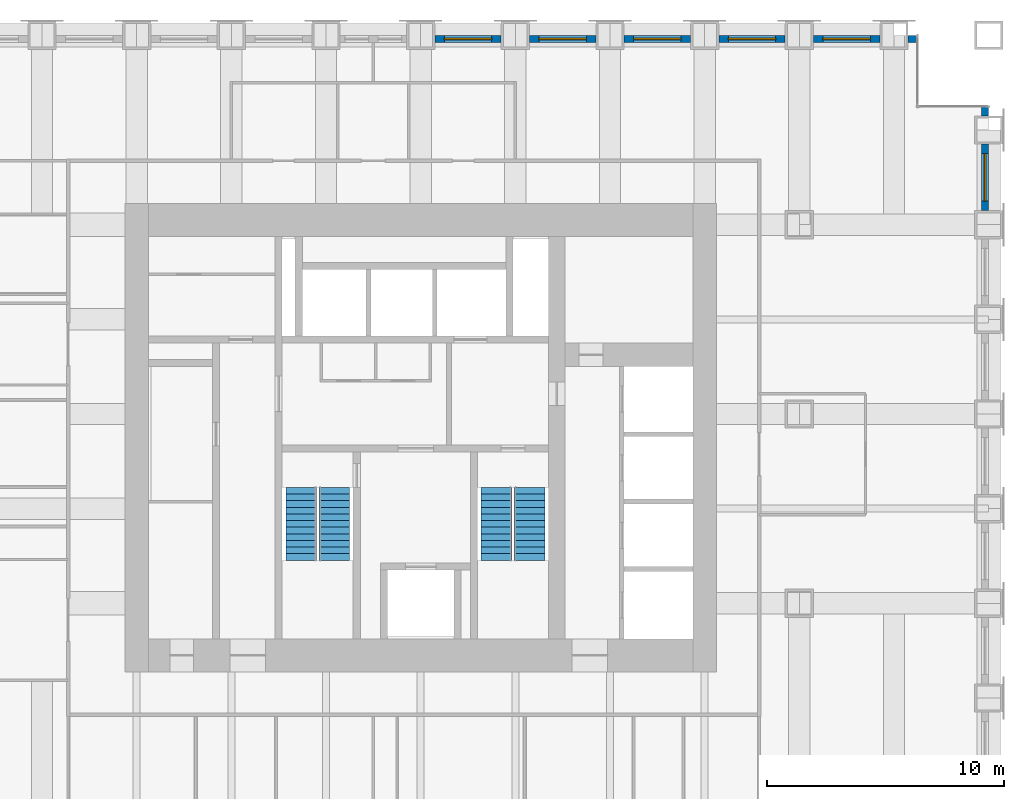
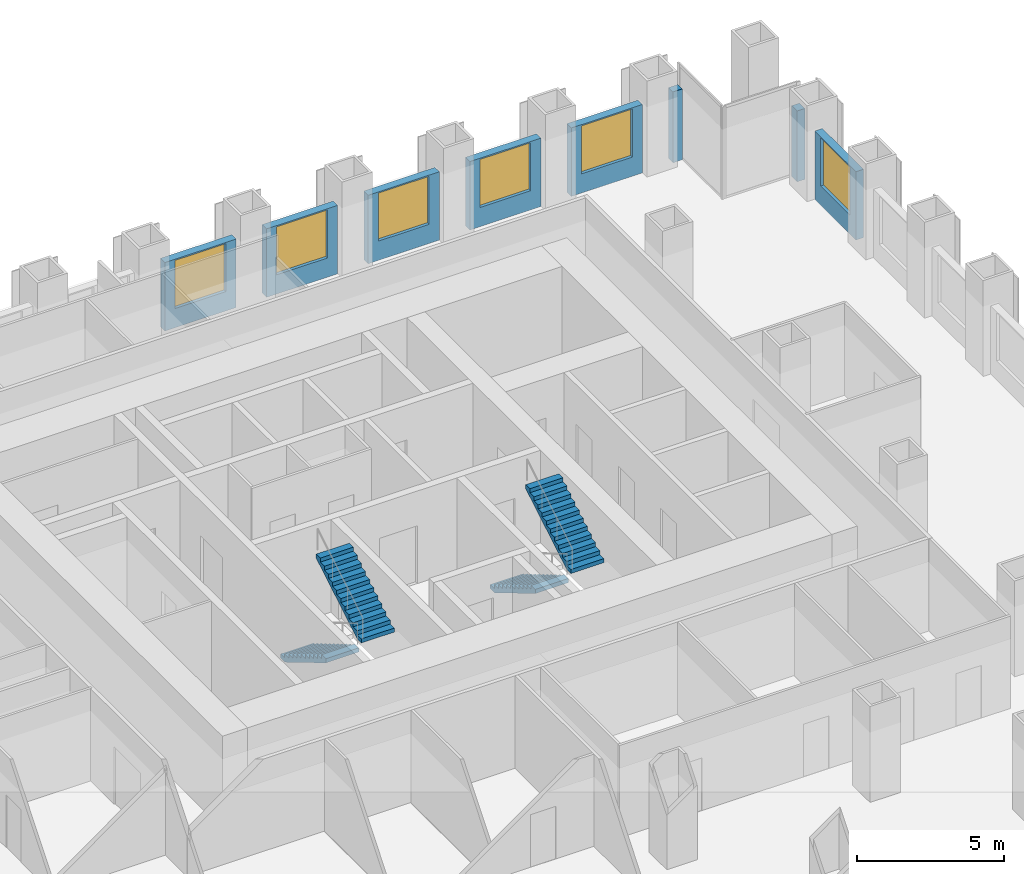
# One storey, part 13 of 15: 8 walls, 6 windows, 4 stair flights, 6 openings, 2 elements without a shape of their own.
"""IFC4 building model written with IfcOpenShell, lengths in metres."""

from ifc_helpers import new_model, si_unit, direction, frame, frame_2d, origin, place, context, subcontext, project, spatial, polyline, rectangle, outline, extrude, material, layer, layer_set, type_object, element, fill, aggregate, save


model = new_model("IFC4")

# Units and contexts
model_context = context("Model", 3, precision=1e-05, world=origin(), true_north=direction((0.0, 1.0)))
body_context = subcontext(model_context, "Body", "Model", "MODEL_VIEW")
ifc_project = project(units=[si_unit("LENGTHUNIT", "METRE"), si_unit("AREAUNIT", "SQUARE_METRE"), si_unit("VOLUMEUNIT", "CUBIC_METRE"), si_unit("PLANEANGLEUNIT", "RADIAN"), si_unit("MASSUNIT", "GRAM", prefix="KILO")], contexts=[model_context])

# Site, building, storey
site_placement = place(None, origin())
site = spatial("IfcSite", under=ifc_project, at=site_placement, CompositionType="ELEMENT")
building_placement = place(site_placement, origin())
building = spatial("IfcBuilding", under=site, at=building_placement, Name="Rimbunsela Tower", CompositionType="ELEMENT")
storey_placement = place(building_placement, frame((0.0, 0.0, 27.0)))
storey = spatial("IfcBuildingStorey", under=building, at=storey_placement, Name="L06", CompositionType="ELEMENT", Elevation=27.0)

# Wall, opening, window
ifc_material_1 = material(Name="Precast concrete fc' 35 MPa", Category="concrete")
ifc_layer = layer(ifc_material_1, 0.300048828125)
ifc_layer_set = layer_set([ifc_layer], Name="Precast concrete fc' 35 MPa")
wall_type = type_object("IfcWallType", Name="Precast facade panel 300", PredefinedType="ELEMENTEDWALL", material=ifc_layer_set)
wall_1_placement = place(storey_placement, frame((53.85009765625, 36.60009765625, 0.0), z_axis=(0.0, 0.0, 1.0), x_axis=(0.0, 1.0, 0.0)))
wall_1 = element("IfcWall", 1, at=wall_1_placement, inside=storey, type_object=wall_type, Name="Facade panel E L06", PredefinedType="ELEMENTEDWALL", context=body_context, shape_type="SweptSolid", body=[
    extrude(rectangle(XDim=2.7998046875, YDim=0.300048828125, at=frame_2d((1.39990234375, 0.0))), origin(), (0.0, 0.0, 1.0), 2.85009765625),
])
opening_1_placement = place(wall_1_placement, frame((0.39990234375, 0.0, 0.800048828125)))
opening_1 = element("IfcOpeningElement", 2, at=opening_1_placement, cuts=wall_1, Name="Opening W1", PredefinedType="OPENING", context=body_context, shape_type="SweptSolid", body=[
    extrude(rectangle(XDim=2.0, YDim=2.0, at=frame_2d((1.0, 1.0))), frame((0.0, 0.159912109375, 0.0), z_axis=(0.0, -1.0, 0.0), x_axis=(1.0, 0.0, 0.0)), (0.0, 0.0, 1.0), 0.320068359375),
])
ifc_material_2 = material(Name="Clear glass in aluminium frame", Category="aluminium")
window_type = type_object("IfcWindowType", Name="Window W1 2000x2000", PartitioningType="DOUBLE_PANEL_VERTICAL", PredefinedType="WINDOW", material=ifc_material_2)
window_1_placement = place(opening_1_placement, origin())
window_1 = element("IfcWindow", 3, at=window_1_placement, inside=storey, type_object=window_type, Name="Window L06", OverallHeight=2.0, OverallWidth=2.0, PartitioningType="SINGLE_PANEL", PredefinedType="WINDOW", context=body_context, shape_type="SweptSolid", body=[
    extrude(rectangle(XDim=2.0, YDim=2.0, at=frame_2d((1.0, 1.0))), frame((0.0, 0.030029296875, 0.0), z_axis=(0.0, -1.0, 0.0), x_axis=(1.0, 0.0, 0.0)), (0.0, 0.0, 1.0), 0.06005859375),
])
fill(opening_1, window_1)

# Wall
wall_2_placement = place(storey_placement, frame((53.85009765625, 40.60009765625, 0.0), z_axis=(0.0, 0.0, 1.0), x_axis=(0.0, 1.0, 0.0)))
element("IfcWall", 4, at=wall_2_placement, inside=storey, type_object=wall_type, Name="Facade panel E L06", PredefinedType="ELEMENTEDWALL", context=body_context, shape_type="SweptSolid", body=[
    extrude(rectangle(XDim=0.369873046875, YDim=0.300048828125, at=frame_2d((0.18505859375, 0.0))), origin(), (0.0, 0.0, 1.0), 2.949951171875),
])

# Wall, opening, window
wall_3_placement = place(storey_placement, frame((33.39990234375, 43.85009765625, 0.0), z_axis=(0.0, 0.0, 1.0), x_axis=(-1.0, 0.0, 0.0)))
wall_3 = element("IfcWall", 5, at=wall_3_placement, inside=storey, type_object=wall_type, Name="Facade panel N L06", PredefinedType="ELEMENTEDWALL", context=body_context, shape_type="SweptSolid", body=[
    extrude(rectangle(XDim=2.7998046875, YDim=0.300048828125, at=frame_2d((1.39990234375, 0.0))), origin(), (0.0, 0.0, 1.0), 2.85009765625),
])
opening_2_placement = place(wall_3_placement, frame((0.39990234375, 0.0, 0.800048828125)))
opening_2 = element("IfcOpeningElement", 6, at=opening_2_placement, cuts=wall_3, Name="Opening W1", PredefinedType="OPENING", context=body_context, shape_type="SweptSolid", body=[
    extrude(rectangle(XDim=2.0, YDim=2.0, at=frame_2d((1.0, 1.0))), frame((0.0, 0.159912109375, 0.0), z_axis=(0.0, -1.0, 0.0), x_axis=(1.0, 0.0, 0.0)), (0.0, 0.0, 1.0), 0.320068359375),
])
window_2_placement = place(opening_2_placement, origin())
window_2 = element("IfcWindow", 7, at=window_2_placement, inside=storey, type_object=window_type, Name="Window L06", OverallHeight=2.0, OverallWidth=2.0, PartitioningType="SINGLE_PANEL", PredefinedType="WINDOW", context=body_context, shape_type="SweptSolid", body=[
    extrude(rectangle(XDim=2.0, YDim=2.0, at=frame_2d((1.0, 1.0))), frame((0.0, 0.030029296875, 0.0), z_axis=(0.0, -1.0, 0.0), x_axis=(1.0, 0.0, 0.0)), (0.0, 0.0, 1.0), 0.06005859375),
])
fill(opening_2, window_2)

wall_4_placement = place(storey_placement, frame((37.39990234375, 43.85009765625, 0.0), z_axis=(0.0, 0.0, 1.0), x_axis=(-1.0, 0.0, 0.0)))
wall_4 = element("IfcWall", 8, at=wall_4_placement, inside=storey, type_object=wall_type, Name="Facade panel N L06", PredefinedType="ELEMENTEDWALL", context=body_context, shape_type="SweptSolid", body=[
    extrude(rectangle(XDim=2.7998046875, YDim=0.300048828125, at=frame_2d((1.39990234375, 0.0))), origin(), (0.0, 0.0, 1.0), 2.85009765625),
])
opening_3_placement = place(wall_4_placement, frame((0.39990234375, 0.0, 0.800048828125)))
opening_3 = element("IfcOpeningElement", 9, at=opening_3_placement, cuts=wall_4, Name="Opening W1", PredefinedType="OPENING", context=body_context, shape_type="SweptSolid", body=[
    extrude(rectangle(XDim=2.0, YDim=2.0, at=frame_2d((1.0, 1.0))), frame((0.0, 0.159912109375, 0.0), z_axis=(0.0, -1.0, 0.0), x_axis=(1.0, 0.0, 0.0)), (0.0, 0.0, 1.0), 0.320068359375),
])
window_3_placement = place(opening_3_placement, origin())
window_3 = element("IfcWindow", 10, at=window_3_placement, inside=storey, type_object=window_type, Name="Window L06", OverallHeight=2.0, OverallWidth=2.0, PartitioningType="SINGLE_PANEL", PredefinedType="WINDOW", context=body_context, shape_type="SweptSolid", body=[
    extrude(rectangle(XDim=2.0, YDim=2.0, at=frame_2d((1.0, 1.0))), frame((0.0, 0.030029296875, 0.0), z_axis=(0.0, -1.0, 0.0), x_axis=(1.0, 0.0, 0.0)), (0.0, 0.0, 1.0), 0.06005859375),
])
fill(opening_3, window_3)

wall_5_placement = place(storey_placement, frame((41.39990234375, 43.85009765625, 0.0), z_axis=(0.0, 0.0, 1.0), x_axis=(-1.0, 0.0, 0.0)))
wall_5 = element("IfcWall", 11, at=wall_5_placement, inside=storey, type_object=wall_type, Name="Facade panel N L06", PredefinedType="ELEMENTEDWALL", context=body_context, shape_type="SweptSolid", body=[
    extrude(rectangle(XDim=2.7998046875, YDim=0.300048828125, at=frame_2d((1.39990234375, 0.0))), origin(), (0.0, 0.0, 1.0), 2.85009765625),
])
opening_4_placement = place(wall_5_placement, frame((0.39990234375, 0.0, 0.800048828125)))
opening_4 = element("IfcOpeningElement", 12, at=opening_4_placement, cuts=wall_5, Name="Opening W1", PredefinedType="OPENING", context=body_context, shape_type="SweptSolid", body=[
    extrude(rectangle(XDim=2.0, YDim=2.0, at=frame_2d((1.0, 1.0))), frame((0.0, 0.159912109375, 0.0), z_axis=(0.0, -1.0, 0.0), x_axis=(1.0, 0.0, 0.0)), (0.0, 0.0, 1.0), 0.320068359375),
])
window_4_placement = place(opening_4_placement, origin())
window_4 = element("IfcWindow", 13, at=window_4_placement, inside=storey, type_object=window_type, Name="Window L06", OverallHeight=2.0, OverallWidth=2.0, PartitioningType="SINGLE_PANEL", PredefinedType="WINDOW", context=body_context, shape_type="SweptSolid", body=[
    extrude(rectangle(XDim=2.0, YDim=2.0, at=frame_2d((1.0, 1.0))), frame((0.0, 0.030029296875, 0.0), z_axis=(0.0, -1.0, 0.0), x_axis=(1.0, 0.0, 0.0)), (0.0, 0.0, 1.0), 0.06005859375),
])
fill(opening_4, window_4)

wall_6_placement = place(storey_placement, frame((45.39990234375, 43.85009765625, 0.0), z_axis=(0.0, 0.0, 1.0), x_axis=(-1.0, 0.0, 0.0)))
wall_6 = element("IfcWall", 14, at=wall_6_placement, inside=storey, type_object=wall_type, Name="Facade panel N L06", PredefinedType="ELEMENTEDWALL", context=body_context, shape_type="SweptSolid", body=[
    extrude(rectangle(XDim=2.7998046875, YDim=0.300048828125, at=frame_2d((1.39990234375, 0.0))), origin(), (0.0, 0.0, 1.0), 2.85009765625),
])
opening_5_placement = place(wall_6_placement, frame((0.39990234375, 0.0, 0.800048828125)))
opening_5 = element("IfcOpeningElement", 15, at=opening_5_placement, cuts=wall_6, Name="Opening W1", PredefinedType="OPENING", context=body_context, shape_type="SweptSolid", body=[
    extrude(rectangle(XDim=2.0, YDim=2.0, at=frame_2d((1.0, 1.0))), frame((0.0, 0.159912109375, 0.0), z_axis=(0.0, -1.0, 0.0), x_axis=(1.0, 0.0, 0.0)), (0.0, 0.0, 1.0), 0.320068359375),
])
window_5_placement = place(opening_5_placement, origin())
window_5 = element("IfcWindow", 16, at=window_5_placement, inside=storey, type_object=window_type, Name="Window L06", OverallHeight=2.0, OverallWidth=2.0, PartitioningType="SINGLE_PANEL", PredefinedType="WINDOW", context=body_context, shape_type="SweptSolid", body=[
    extrude(rectangle(XDim=2.0, YDim=2.0, at=frame_2d((1.0, 1.0))), frame((0.0, 0.030029296875, 0.0), z_axis=(0.0, -1.0, 0.0), x_axis=(1.0, 0.0, 0.0)), (0.0, 0.0, 1.0), 0.06005859375),
])
fill(opening_5, window_5)

wall_7_placement = place(storey_placement, frame((49.39990234375, 43.85009765625, 0.0), z_axis=(0.0, 0.0, 1.0), x_axis=(-1.0, 0.0, 0.0)))
wall_7 = element("IfcWall", 17, at=wall_7_placement, inside=storey, type_object=wall_type, Name="Facade panel N L06", PredefinedType="ELEMENTEDWALL", context=body_context, shape_type="SweptSolid", body=[
    extrude(rectangle(XDim=2.7998046875, YDim=0.300048828125, at=frame_2d((1.39990234375, 0.0))), origin(), (0.0, 0.0, 1.0), 2.85009765625),
])
opening_6_placement = place(wall_7_placement, frame((0.39990234375, 0.0, 0.800048828125)))
opening_6 = element("IfcOpeningElement", 18, at=opening_6_placement, cuts=wall_7, Name="Opening W1", PredefinedType="OPENING", context=body_context, shape_type="SweptSolid", body=[
    extrude(rectangle(XDim=2.0, YDim=2.0, at=frame_2d((1.0, 1.0))), frame((0.0, 0.159912109375, 0.0), z_axis=(0.0, -1.0, 0.0), x_axis=(1.0, 0.0, 0.0)), (0.0, 0.0, 1.0), 0.320068359375),
])
window_6_placement = place(opening_6_placement, origin())
window_6 = element("IfcWindow", 19, at=window_6_placement, inside=storey, type_object=window_type, Name="Window L06", OverallHeight=2.0, OverallWidth=2.0, PartitioningType="SINGLE_PANEL", PredefinedType="WINDOW", context=body_context, shape_type="SweptSolid", body=[
    extrude(rectangle(XDim=2.0, YDim=2.0, at=frame_2d((1.0, 1.0))), frame((0.0, 0.030029296875, 0.0), z_axis=(0.0, -1.0, 0.0), x_axis=(1.0, 0.0, 0.0)), (0.0, 0.0, 1.0), 0.06005859375),
])
fill(opening_6, window_6)

# Wall
wall_8_placement = place(storey_placement, frame((50.969970703125, 43.85009765625, 0.0), z_axis=(0.0, 0.0, 1.0), x_axis=(-1.0, 0.0, 0.0)))
element("IfcWall", 20, at=wall_8_placement, inside=storey, type_object=wall_type, Name="Facade panel N L06", PredefinedType="ELEMENTEDWALL", context=body_context, shape_type="SweptSolid", body=[
    extrude(rectangle(XDim=0.369873046875, YDim=0.300048828125, at=frame_2d((0.18505859375, 0.0))), origin(), (0.0, 0.0, 1.0), 2.949951171875),
])

# Stair, stair flights
ifc_material_3 = material(Name="Concrete fc' 35 MPa", Category="concrete")
stair_type = type_object("IfcStairType", Name="Exit stair 24 risers", PredefinedType="HALF_TURN_STAIR", material=ifc_material_3)
stair_1_placement = place(storey_placement, origin())
stair_1 = element("IfcStair", 21, at=stair_1_placement, inside=storey, type_object=stair_type, Name="Exit stair A L06", PredefinedType="HALF_TURN_STAIR")
ifc_material_4 = material(Name="Concrete fc' 35 MPa", Category="concrete")
stair_flight_type = type_object("IfcStairFlightType", Name="Stair flight 12 risers 167", PredefinedType="STRAIGHT", material=ifc_material_4)
stair_flight_1_placement = place(storey_placement, frame((24.949951171875, 24.89990234375, 0.0), z_axis=(0.0, 0.0, 1.0), x_axis=(0.0, -1.0, 0.0)))
stair_flight_1 = element("IfcStairFlight", 22, at=stair_flight_1_placement, type_object=stair_flight_type, Name="ST-A flight 1", NumberOfRisers=12, NumberOfTreads=11, PredefinedType="STRAIGHT", RiserHeight=0.166666667, TreadLength=0.28, context=body_context, shape_type="SweptSolid", body=[
    extrude(outline(polyline([(0.0, 0.0), (0.0, 0.166748046875), (0.280029296875, 0.166748046875), (0.280029296875, 0.333251953125), (0.56005859375, 0.333251953125), (0.56005859375, 0.5), (0.840087890625, 0.5), (0.840087890625, 0.666748046875), (1.1201171875, 0.666748046875), (1.1201171875, 0.833251953125), (1.39990234375, 0.833251953125), (1.39990234375, 1.0), (1.679931640625, 1.0), (1.679931640625, 1.166748046875), (1.9599609375, 1.166748046875), (1.9599609375, 1.333251953125), (2.239990234375, 1.333251953125), (2.239990234375, 1.5), (2.52001953125, 1.5), (2.52001953125, 1.666748046875), (2.800048828125, 1.666748046875), (2.800048828125, 1.833251953125), (3.080078125, 1.833251953125), (3.080078125, 2.0), (3.080078125, 1.658935546875), (0.29296875, 0.0), (0.0, 0.0)])), frame((0.0, 0.64990234375, 0.0), z_axis=(0.0, -1.0, 0.0), x_axis=(1.0, 0.0, 0.0)), (0.0, 0.0, 1.0), 1.300048828125),
])
stair_flight_2_placement = place(storey_placement, frame((26.35009765625, 21.820068359375, 2.0), z_axis=(0.0, 0.0, 1.0), x_axis=(0.0, 1.0, 0.0)))
stair_flight_2 = element("IfcStairFlight", 23, at=stair_flight_2_placement, type_object=stair_flight_type, Name="ST-A flight 2", NumberOfRisers=12, NumberOfTreads=11, PredefinedType="STRAIGHT", RiserHeight=0.166666667, TreadLength=0.28, context=body_context, shape_type="SweptSolid", body=[
    extrude(outline(polyline([(0.0, 0.0), (0.0, 0.166748046875), (0.280029296875, 0.166748046875), (0.280029296875, 0.333251953125), (0.56005859375, 0.333251953125), (0.56005859375, 0.5), (0.840087890625, 0.5), (0.840087890625, 0.666748046875), (1.1201171875, 0.666748046875), (1.1201171875, 0.833251953125), (1.39990234375, 0.833251953125), (1.39990234375, 1.0), (1.679931640625, 1.0), (1.679931640625, 1.166748046875), (1.9599609375, 1.166748046875), (1.9599609375, 1.333251953125), (2.239990234375, 1.333251953125), (2.239990234375, 1.5), (2.52001953125, 1.5), (2.52001953125, 1.666748046875), (2.800048828125, 1.666748046875), (2.800048828125, 1.833251953125), (3.080078125, 1.833251953125), (3.080078125, 2.0), (3.080078125, 1.658935546875), (0.29296875, 0.0), (0.0, 0.0)])), frame((0.0, 0.64990234375, 0.0), z_axis=(0.0, -1.0, 0.0), x_axis=(1.0, 0.0, 0.0)), (0.0, 0.0, 1.0), 1.300048828125),
])
aggregate(stair_1, [stair_flight_1, stair_flight_2])

stair_2_placement = place(storey_placement, origin())
stair_2 = element("IfcStair", 24, at=stair_2_placement, inside=storey, type_object=stair_type, Name="Exit stair B L06", PredefinedType="HALF_TURN_STAIR")
stair_flight_3_placement = place(storey_placement, frame((33.199951171875, 24.89990234375, 0.0), z_axis=(0.0, 0.0, 1.0), x_axis=(0.0, -1.0, 0.0)))
stair_flight_3 = element("IfcStairFlight", 25, at=stair_flight_3_placement, type_object=stair_flight_type, Name="ST-B flight 1", NumberOfRisers=12, NumberOfTreads=11, PredefinedType="STRAIGHT", RiserHeight=0.166666667, TreadLength=0.28, context=body_context, shape_type="SweptSolid", body=[
    extrude(outline(polyline([(0.0, 0.0), (0.0, 0.166748046875), (0.280029296875, 0.166748046875), (0.280029296875, 0.333251953125), (0.56005859375, 0.333251953125), (0.56005859375, 0.5), (0.840087890625, 0.5), (0.840087890625, 0.666748046875), (1.1201171875, 0.666748046875), (1.1201171875, 0.833251953125), (1.39990234375, 0.833251953125), (1.39990234375, 1.0), (1.679931640625, 1.0), (1.679931640625, 1.166748046875), (1.9599609375, 1.166748046875), (1.9599609375, 1.333251953125), (2.239990234375, 1.333251953125), (2.239990234375, 1.5), (2.52001953125, 1.5), (2.52001953125, 1.666748046875), (2.800048828125, 1.666748046875), (2.800048828125, 1.833251953125), (3.080078125, 1.833251953125), (3.080078125, 2.0), (3.080078125, 1.658935546875), (0.29296875, 0.0), (0.0, 0.0)])), frame((0.0, 0.64990234375, 0.0), z_axis=(0.0, -1.0, 0.0), x_axis=(1.0, 0.0, 0.0)), (0.0, 0.0, 1.0), 1.300048828125),
])
stair_flight_4_placement = place(storey_placement, frame((34.60009765625, 21.820068359375, 2.0), z_axis=(0.0, 0.0, 1.0), x_axis=(0.0, 1.0, 0.0)))
stair_flight_4 = element("IfcStairFlight", 26, at=stair_flight_4_placement, type_object=stair_flight_type, Name="ST-B flight 2", NumberOfRisers=12, NumberOfTreads=11, PredefinedType="STRAIGHT", RiserHeight=0.166666667, TreadLength=0.28, context=body_context, shape_type="SweptSolid", body=[
    extrude(outline(polyline([(0.0, 0.0), (0.0, 0.166748046875), (0.280029296875, 0.166748046875), (0.280029296875, 0.333251953125), (0.56005859375, 0.333251953125), (0.56005859375, 0.5), (0.840087890625, 0.5), (0.840087890625, 0.666748046875), (1.1201171875, 0.666748046875), (1.1201171875, 0.833251953125), (1.39990234375, 0.833251953125), (1.39990234375, 1.0), (1.679931640625, 1.0), (1.679931640625, 1.166748046875), (1.9599609375, 1.166748046875), (1.9599609375, 1.333251953125), (2.239990234375, 1.333251953125), (2.239990234375, 1.5), (2.52001953125, 1.5), (2.52001953125, 1.666748046875), (2.800048828125, 1.666748046875), (2.800048828125, 1.833251953125), (3.080078125, 1.833251953125), (3.080078125, 2.0), (3.080078125, 1.658935546875), (0.29296875, 0.0), (0.0, 0.0)])), frame((0.0, 0.64990234375, 0.0), z_axis=(0.0, -1.0, 0.0), x_axis=(1.0, 0.0, 0.0)), (0.0, 0.0, 1.0), 1.300048828125),
])
aggregate(stair_2, [stair_flight_3, stair_flight_4])

save(model, "model.ifc")
